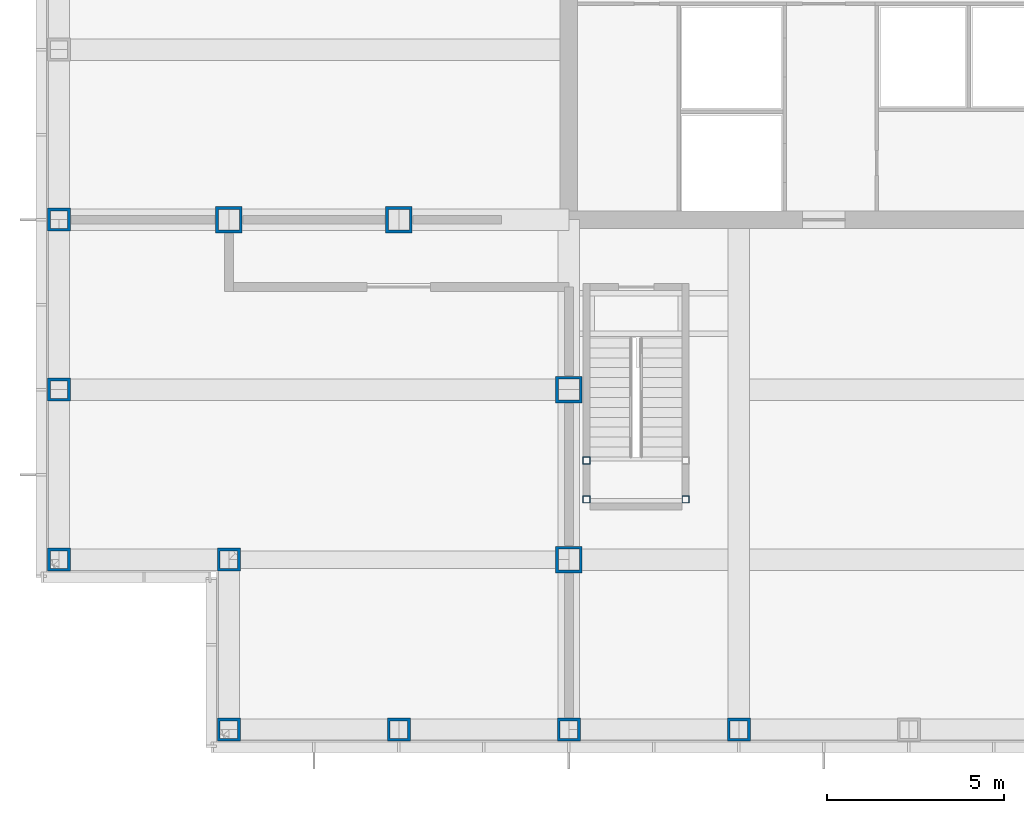
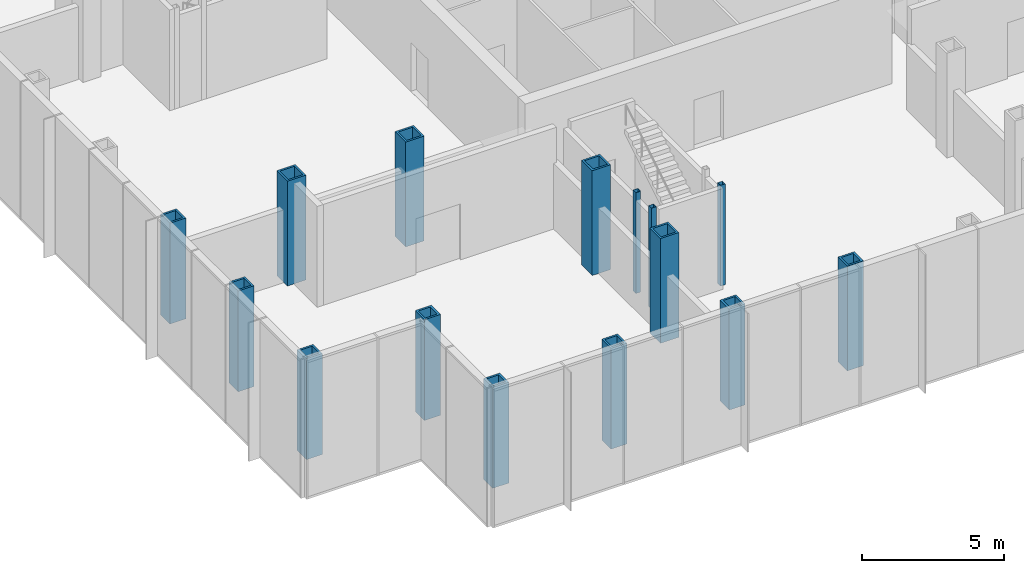
# One storey, part 1 of 18: 15 columns.
"""IFC4 building model written with IfcOpenShell, lengths in metres."""

from ifc_helpers import new_model, si_unit, direction, frame, origin, origin_2d, place, context, subcontext, project, spatial, hollow_rectangle, extrude, material, material_profile, profile_set, type_object, element, save


model = new_model("IFC4")

# Units and contexts
model_context = context("Model", 3, precision=1e-05, world=origin(), true_north=direction((0.0, 1.0)))
body_context = subcontext(model_context, "Body", "Model", "MODEL_VIEW")
ifc_project = project(units=[si_unit("LENGTHUNIT", "METRE"), si_unit("AREAUNIT", "SQUARE_METRE"), si_unit("VOLUMEUNIT", "CUBIC_METRE"), si_unit("PLANEANGLEUNIT", "RADIAN"), si_unit("MASSUNIT", "GRAM", prefix="KILO")], contexts=[model_context])

# Site, building, storey
site_placement = place(None, origin())
site = spatial("IfcSite", under=ifc_project, at=site_placement, CompositionType="ELEMENT")
building_placement = place(site_placement, origin())
building = spatial("IfcBuilding", under=site, at=building_placement, Name="Kvirike Care Tower", CompositionType="ELEMENT")
storey_placement = place(building_placement, frame((0.0, 0.0, 79.5)))
storey = spatial("IfcBuildingStorey", under=building, at=storey_placement, Name="L21", CompositionType="ELEMENT", Elevation=79.5)

# Columns
ifc_material_1 = material(Name="Steel S460", Category="steel")
ifc_material_profile_1 = material_profile(ifc_material_1, hollow_rectangle(XDim=0.64990234375, YDim=0.64990234375, WallThickness=0.080078125, at=origin_2d()), Name="BX 650x650x80")
ifc_profile_set_1 = profile_set([ifc_material_profile_1], Name="Steel S460")
column_type_1 = type_object("IfcColumnType", Name="COLUMN BX 650x650x80", PredefinedType="COLUMN", material=ifc_profile_set_1)
for number, where, z_axis, x_axis, name in (
    (1, (0.0, 19.199951171875, 0.0), (0.0, 0.0, 1.0), (0.0, 1.0, 0.0), "Column E3 L21"),
    (2, (0.0, 24.0, 0.0), (0.0, 0.0, 1.0), (1.0, 0.0, 0.0), "Column F3 L21"),
    (3, (0.0, 28.800048828125, 0.0), (0.0, 0.0, 1.0), (0.0, 1.0, 0.0), "Column G3 L21"),
    (4, (4.800048828125, 14.39990234375, 0.0), (0.0, 0.0, 1.0), (0.0, 1.0, 0.0), "Column D4 L21"),
    (5, (4.800048828125, 19.199951171875, 0.0), (0.0, 0.0, 1.0), (0.0, 1.0, 0.0), "Column E4 L21"),
    (6, (9.60009765625, 14.39990234375, 0.0), (0.0, 0.0, 1.0), (0.0, 1.0, 0.0), "Column D5 L21"),
    (7, (14.39990234375, 14.39990234375, 0.0), (0.0, 0.0, 1.0), (0.0, 1.0, 0.0), "Column D6 L21"),
):
    element("IfcColumn", number, at=place(storey_placement, frame(where, z_axis=z_axis, x_axis=x_axis)), inside=storey, type_object=column_type_1, Name=name, PredefinedType="COLUMN", context=body_context, shape_type="SweptSolid", body=[
        extrude(hollow_rectangle(XDim=0.64990234375, YDim=0.64990234375, WallThickness=0.080078125, at=origin_2d()), origin(), (0.0, 0.0, 1.0), 4.330078125),
    ])
column_placement = place(storey_placement, frame((19.199951171875, 14.39990234375, 0.0), z_axis=(0.0, 0.0, 1.0), x_axis=(0.0, 1.0, 0.0)))
element("IfcColumn", 8, at=column_placement, inside=storey, type_object=column_type_1, Name="Column D7 L21", PredefinedType="COLUMN", context=body_context, shape_type="SweptSolid", body=[
    extrude(hollow_rectangle(XDim=0.64990234375, YDim=0.64990234375, WallThickness=0.080078125, at=origin_2d()), origin(), (0.0, 0.0, 1.0), 4.5),
])
ifc_material_2 = material(Name="Steel S460", Category="steel")
ifc_material_profile_2 = material_profile(ifc_material_2, hollow_rectangle(XDim=0.75, YDim=0.75, WallThickness=0.080078125, at=origin_2d()), Name="BX 750x750x80")
ifc_profile_set_2 = profile_set([ifc_material_profile_2], Name="Steel S460")
column_type_2 = type_object("IfcColumnType", Name="COLUMN BX 750x750x80", PredefinedType="COLUMN", material=ifc_profile_set_2)
for number, where, z_axis, x_axis, name in (
    (9, (4.800048828125, 28.800048828125, 0.0), (0.0, 0.0, 1.0), (0.0, 1.0, 0.0), "Column G4 L21"),
    (10, (9.60009765625, 28.800048828125, 0.0), (0.0, 0.0, 1.0), (0.0, 1.0, 0.0), "Column G5 L21"),
    (11, (14.39990234375, 19.199951171875, 0.0), (0.0, 0.0, 1.0), (1.0, 0.0, 0.0), "Column E6 L21"),
    (12, (14.39990234375, 24.0, 0.0), (0.0, 0.0, 1.0), (1.0, 0.0, 0.0), "Column F6 L21"),
):
    element("IfcColumn", number, at=place(storey_placement, frame(where, z_axis=z_axis, x_axis=x_axis)), inside=storey, type_object=column_type_2, Name=name, PredefinedType="COLUMN", context=body_context, shape_type="SweptSolid", body=[
        extrude(hollow_rectangle(XDim=0.75, YDim=0.75, WallThickness=0.080078125, at=origin_2d()), origin(), (0.0, 0.0, 1.0), 4.5),
    ])
ifc_material_3 = material(Name="Steel S460", Category="steel")
ifc_material_profile_3 = material_profile(ifc_material_3, hollow_rectangle(XDim=0.199951171875, YDim=0.199951171875, WallThickness=0.008056640625, at=origin_2d()), Name="SHS 200x200x8")
ifc_profile_set_3 = profile_set([ifc_material_profile_3], Name="Steel S460")
column_type_3 = type_object("IfcColumnType", Name="STAIR POST SHS 200x200x8", PredefinedType="COLUMN", material=ifc_profile_set_3)
for number, where, z_axis, x_axis, name in (
    (13, (14.89990234375, 20.89990234375, 0.0), (0.0, 0.0, 1.0), (1.0, 0.0, 0.0), "Stair 5 post 1 L21"),
    (14, (17.699951171875, 20.89990234375, 0.0), (0.0, 0.0, 1.0), (1.0, 0.0, 0.0), "Stair 5 post 2 L21"),
    (15, (14.89990234375, 22.0, 0.0), (0.0, 0.0, 1.0), (1.0, 0.0, 0.0), "Stair 5 post 3 L21"),
):
    element("IfcColumn", number, at=place(storey_placement, frame(where, z_axis=z_axis, x_axis=x_axis)), inside=storey, type_object=column_type_3, Name=name, PredefinedType="COLUMN", context=body_context, shape_type="SweptSolid", body=[
        extrude(hollow_rectangle(XDim=0.199951171875, YDim=0.199951171875, WallThickness=0.008056640625, at=origin_2d()), origin(), (0.0, 0.0, 1.0), 4.330078125),
    ])

save(model, "model.ifc")
